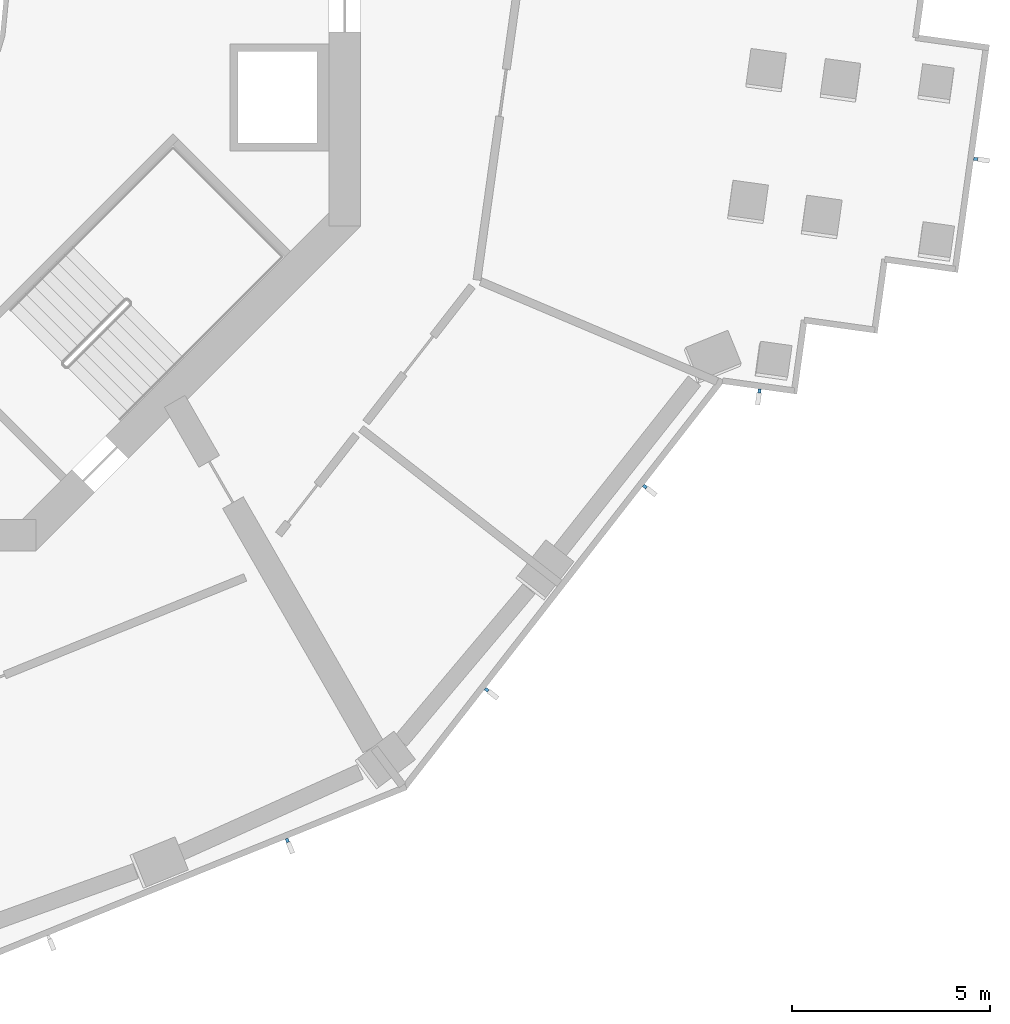
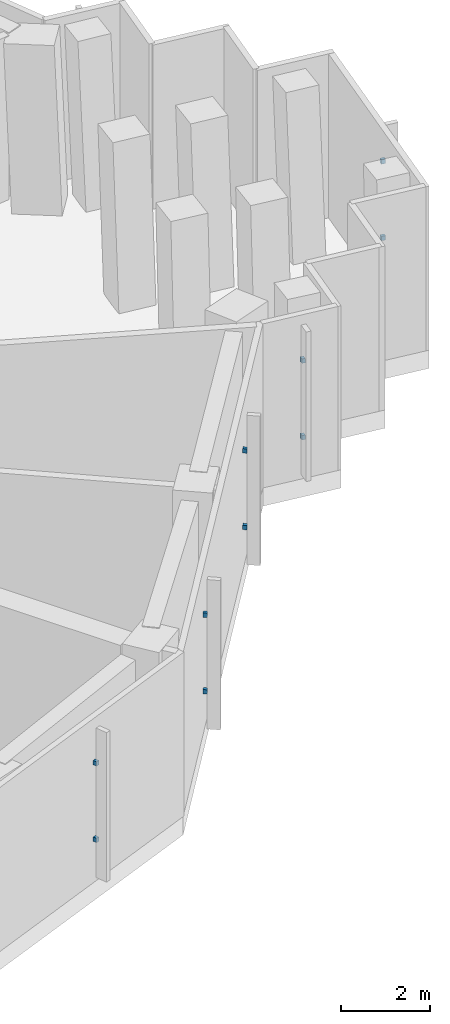
# One storey, part 9 of 17: 10 discrete accessories.
"""IFC4 building model written with IfcOpenShell, lengths in metres."""

from ifc_helpers import new_model, si_unit, direction, frame, origin, origin_2d, place, context, subcontext, project, spatial, rectangle, extrude, element, save


model = new_model("IFC4")

# Units and contexts
model_context = context("Model", 3, precision=1e-05, world=origin(), true_north=direction((0.0, 1.0)))
body_context = subcontext(model_context, "Body", "Model", "MODEL_VIEW")
ifc_project = project(units=[si_unit("LENGTHUNIT", "METRE"), si_unit("AREAUNIT", "SQUARE_METRE"), si_unit("VOLUMEUNIT", "CUBIC_METRE"), si_unit("PLANEANGLEUNIT", "RADIAN"), si_unit("MASSUNIT", "GRAM", prefix="KILO")], contexts=[model_context])

# Site, building, storey
site_placement = place(None, origin())
site = spatial("IfcSite", under=ifc_project, at=site_placement, CompositionType="ELEMENT")
building_placement = place(site_placement, origin())
building = spatial("IfcBuilding", under=site, at=building_placement, Name="Verdalira Terraces Hotel", CompositionType="ELEMENT")
storey_placement = place(building_placement, frame((0.0, 0.0, 122.0)))
storey = spatial("IfcBuildingStorey", under=building, at=storey_placement, Name="L29", CompositionType="ELEMENT", Elevation=122.0)

# Discrete accessories
for number, where, z_axis, x_axis, name in (
    (1, (12.14917, -21.303955, 1.139893), (0.0, 0.0, 1.0), (0.926659901, 0.375900821, 0.0), "Fin bracket"),
    (2, (12.14917, -21.303955, 3.23999), (0.0, 0.0, 1.0), (0.926659901, 0.375900821, 0.0), "Fin bracket"),
    (3, (17.178711, -17.502686, 1.139893), (0.0, 0.0, 1.0), (0.614560605, 0.788869611, 0.0), "Fin bracket"),
    (4, (17.178711, -17.502686, 3.23999), (0.0, 0.0, 1.0), (0.614560605, 0.788869611, 0.0), "Fin bracket"),
    (5, (21.17334, -12.375, 1.139893), (0.0, 0.0, 1.0), (0.614560605, 0.788869611, 0.0), "Fin bracket"),
    (6, (21.17334, -12.375, 3.23999), (0.0, 0.0, 1.0), (0.614560605, 0.788869611, 0.0), "Fin bracket"),
    (7, (24.062744, -9.960693, 1.139893), (0.0, 0.0, 1.0), (0.990461426, -0.137790291, 0.0), "Fin bracket"),
    (8, (24.062744, -9.960693, 3.23999), (0.0, 0.0, 1.0), (0.990461426, -0.137790291, 0.0), "Fin bracket"),
    (9, (29.518799, -4.106445, 1.139893), (0.0, 0.0, 1.0), (0.137790291, 0.990461426, 0.0), "Fin bracket"),
    (10, (29.518799, -4.106445, 3.23999), (0.0, 0.0, 1.0), (0.137790291, 0.990461426, 0.0), "Fin bracket"),
):
    element("IfcDiscreteAccessory", number, at=place(storey_placement, frame(where, z_axis=z_axis, x_axis=x_axis)), inside=storey, Name=name, PredefinedType="BRACKET", context=body_context, shape_type="SweptSolid", body=[
        extrude(rectangle(XDim=0.080078, YDim=0.100098, at=origin_2d()), origin(), (0.0, 0.0, 1.0), 0.120117),
    ])

save(model, "model.ifc")
